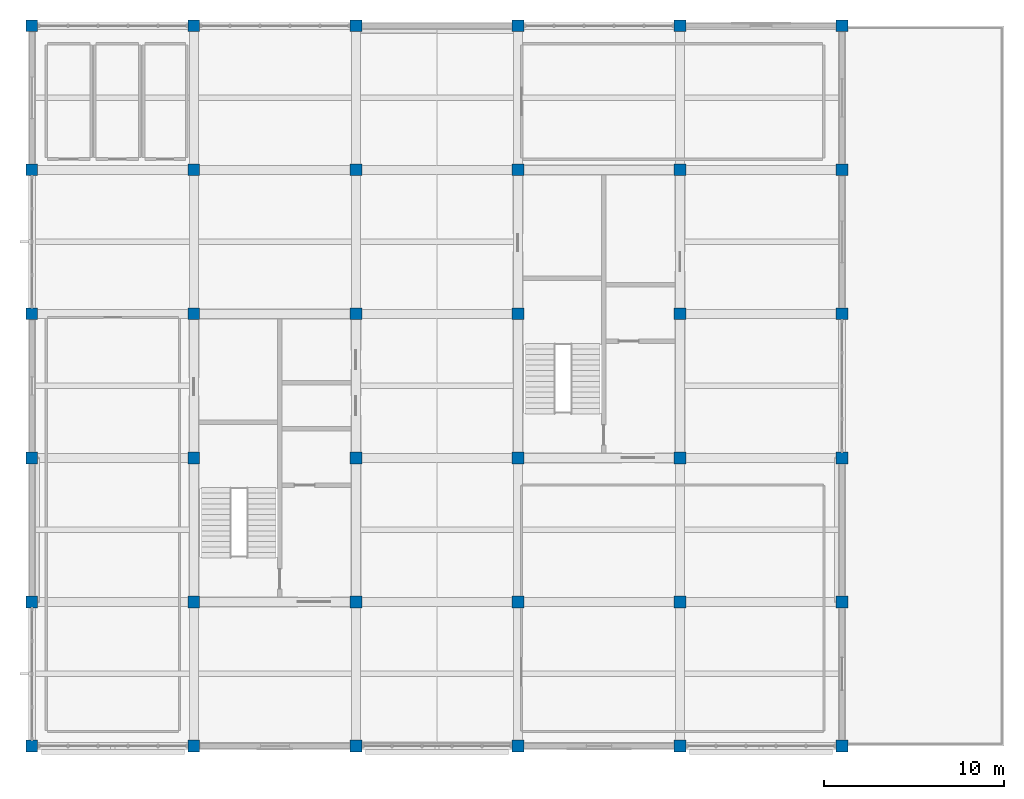
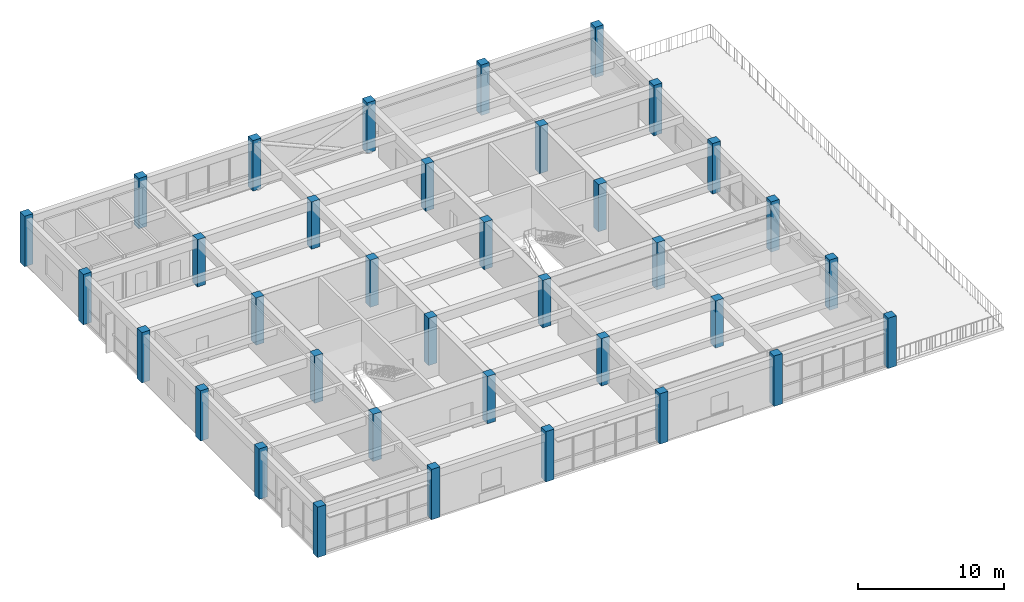
# One storey, part 1 of 12: 36 columns.
"""IFC4 building model written with IfcOpenShell, lengths in metres."""

import ifcopenshell
import ifcopenshell.guid

model = None  # the IFC model being written
_history = None  # IfcOwnerHistory: only IFC2X3 demands one
_inside = {}  # id of a spatial element -> (the spatial element, [elements in it])
_under = {}  # id of a project, library or spatial element -> (it, [spatial elements below it])
_declared = {}  # id of a project -> (the project, [libraries it declares])
_typed = {}  # id of a type object -> (the type object, [elements of that type])
_made_of = {}  # id of a material, layer set ... -> (it, [elements and type objects made of it])


def new_model(schema):
    """Start an empty IFC model of exactly this schema.

    Asked for "IFC4X3", IfcOpenShell would pick the latest addendum, in which some entities
    have other attributes; the version numbers below select the first issue.
    IFC2X3 requires an IfcOwnerHistory on every rooted entity: one is made here for all.
    """
    global model, _history
    if schema == "IFC4X3":
        model = ifcopenshell.file(schema_version=(4, 3, 0, 0))
    else:
        model = ifcopenshell.file(schema=schema)
    _inside.clear()
    _under.clear()
    _declared.clear()
    _typed.clear()
    _made_of.clear()
    _history = None
    if model.schema == "IFC2X3":
        org = make("IfcOrganization", Name="unknown")
        user = make(
            "IfcPersonAndOrganization",
            ThePerson=make("IfcPerson", FamilyName="unknown"),
            TheOrganization=org,
        )
        app = make(
            "IfcApplication",
            ApplicationDeveloper=org,
            Version="unknown",
            ApplicationFullName="unknown",
            ApplicationIdentifier="unknown",
        )
        _history = make(
            "IfcOwnerHistory",
            OwningUser=user,
            OwningApplication=app,
            ChangeAction="ADDED",
            CreationDate=0,
        )
    return model


def make(cls, **values):
    """One entity of the class cls with the attributes given. An attribute that is None is left unset."""
    return model.create_entity(
        cls, **{name: value for name, value in values.items() if value is not None}
    )


def rooted(cls, **values):
    """An entity with a GlobalId (a new one), such as an element, a storey or a relation."""
    return make(cls, GlobalId=ifcopenshell.guid.new(), OwnerHistory=_history, **values)


def si_unit(unit_type, name, prefix=None):
    """IfcSIUnit, for example si_unit("LENGTHUNIT", "METRE", prefix="MILLI")."""
    return make("IfcSIUnit", UnitType=unit_type, Prefix=prefix, Name=name)


def assignment(units):
    """IfcUnitAssignment: the units of a project."""
    return None if units is None else make("IfcUnitAssignment", Units=units)


def point(xyz):
    """IfcCartesianPoint."""
    return None if xyz is None else make("IfcCartesianPoint", Coordinates=xyz)


def direction(xyz):
    """IfcDirection."""
    return None if xyz is None else make("IfcDirection", DirectionRatios=xyz)


def frame(location, z_axis=None, x_axis=None):
    """IfcAxis2Placement3D, a coordinate frame: its origin and axes. An axis left out is left unset."""
    return make(
        "IfcAxis2Placement3D",
        Location=point(location),
        Axis=direction(z_axis),
        RefDirection=direction(x_axis),
    )


def frame_2d(location, x_axis=None):
    """IfcAxis2Placement2D, a coordinate frame in the plane: its origin and x axis."""
    return make(
        "IfcAxis2Placement2D", Location=point(location), RefDirection=direction(x_axis)
    )


def origin():
    """The frame at (0, 0, 0) with its axes left unset."""
    return frame((0.0, 0.0, 0.0))


def origin_2d():
    """The frame at (0, 0) in the plane with its x axis left unset."""
    return frame_2d((0.0, 0.0))


def place(relative_to, where):
    """IfcLocalPlacement: puts the frame where relative to a parent placement (None: the world)."""
    return make(
        "IfcLocalPlacement", PlacementRelTo=relative_to, RelativePlacement=where
    )


def context(
    kind, dimensions, precision=None, world=None, true_north=None, identifier=None
):
    """IfcGeometricRepresentationContext, for example the 3D "Model" context."""
    return make(
        "IfcGeometricRepresentationContext",
        ContextIdentifier=identifier,
        ContextType=kind,
        CoordinateSpaceDimension=dimensions,
        Precision=precision,
        WorldCoordinateSystem=world,
        TrueNorth=true_north,
    )


def subcontext(parent, identifier, kind, view, scale=None):
    """IfcGeometricRepresentationSubContext, for example "Body" below "Model"."""
    return make(
        "IfcGeometricRepresentationSubContext",
        ContextIdentifier=identifier,
        ContextType=kind,
        ParentContext=parent,
        TargetScale=scale,
        TargetView=view,
    )


def project(units=None, contexts=None):
    """IfcProject with its units and contexts."""
    return rooted(
        "IfcProject",
        Name="project",
        RepresentationContexts=contexts,
        UnitsInContext=assignment(units),
    )


def spatial(cls, under=None, at=None, **own):
    """A site, building, storey or space (cls), placed at a placement, below another one or the project."""
    s = rooted(cls, ObjectPlacement=at, **own)
    if under is not None:
        _under.setdefault(under.id(), (under, []))[1].append(s)
    return s


def profile(cls, at=None, kind="AREA", **sizes):
    """A parametric profile (cls). Its sizes go by their IFC names, for example OverallWidth=200.0."""
    return make(cls, ProfileType=kind, Position=at, **sizes)


def rectangle(**sizes):
    """IfcRectangleProfileDef."""
    return profile("IfcRectangleProfileDef", **sizes)


def extrude(swept, where, along, depth):
    """IfcExtrudedAreaSolid: the profile swept, set in the frame where, extruded along a direction by depth."""
    return make(
        "IfcExtrudedAreaSolid",
        SweptArea=swept,
        Position=where,
        ExtrudedDirection=direction(along),
        Depth=depth,
    )


def shape(context_of_items, identifier, shape_type, items):
    """IfcShapeRepresentation: the items that make up one representation, for example the "Body"."""
    return make(
        "IfcShapeRepresentation",
        ContextOfItems=context_of_items,
        RepresentationIdentifier=identifier,
        RepresentationType=shape_type,
        Items=items,
    )


def material(Name=None, Category=None):
    """IfcMaterial."""
    return make("IfcMaterial", Name=Name, Category=Category)


def material_profile(
    of_material, cross_section, Name=None, Category=None, Priority=None
):
    """IfcMaterialProfile: a cross section and its material."""
    return make(
        "IfcMaterialProfile",
        Name=Name,
        Material=of_material,
        Profile=cross_section,
        Priority=Priority,
        Category=Category,
    )


def profile_set(profiles, Name=None, composite=None):
    """IfcMaterialProfileSet."""
    return make(
        "IfcMaterialProfileSet",
        Name=Name,
        MaterialProfiles=profiles,
        CompositeProfile=composite,
    )


def made_of(thing, what):
    """Note that an element or type object is made of a material, layer set ...; save() writes the relation."""
    if what is not None:
        _made_of.setdefault(what.id(), (what, []))[1].append(thing)
    return thing


def type_object(cls, material=None, **own):
    """A type object (cls), such as IfcWallType, which elements share."""
    return made_of(rooted(cls, **own), material)


def element(
    cls,
    number,
    at=None,
    inside=None,
    cuts=None,
    type_object=None,
    material=None,
    context=None,
    identifier="Body",
    shape_type=None,
    held_by="IfcProductDefinitionShape",
    body=None,
    shapes=None,
    **own,
):
    """One element of the class cls, such as IfcWall. Its Tag is "e" and its number.

    at: its placement. inside: the storey or other place that contains it. cuts: it is an
    opening in that element (IfcRelVoidsElement). A single representation is given by context,
    identifier, shape_type and body (its items); several are given by shapes. held_by: the class
    of the entity that holds the representations. save() writes the other relations.
    """
    e = rooted(cls, Tag="e%d" % number, ObjectPlacement=at, **own)
    if body is not None:
        shapes = [shape(context, identifier, shape_type, body)]
    if shapes is not None:
        e.Representation = make(held_by, Representations=shapes)
    if inside is not None:
        _inside.setdefault(inside.id(), (inside, []))[1].append(e)
    if cuts is not None:
        rooted(
            "IfcRelVoidsElement", RelatingBuildingElement=cuts, RelatedOpeningElement=e
        )
    if type_object is not None:
        _typed.setdefault(type_object.id(), (type_object, []))[1].append(e)
    return made_of(e, material)


def aggregate(whole, parts):
    """IfcRelAggregates: a whole, such as a stair, and the parts it consists of."""
    return rooted("IfcRelAggregates", RelatingObject=whole, RelatedObjects=parts)


def save(model, path):
    """Write the relations noted so far, then the file.

    IfcRelAggregates (storeys below a building ...), IfcRelContainedInSpatialStructure (elements
    in a storey), IfcRelDefinesByType, IfcRelAssociatesMaterial and IfcRelDeclares: one each for
    every whole, place, type object, material and project.
    """
    for whole, parts in _under.values():
        aggregate(whole, parts)
    for where, things in _inside.values():
        rooted(
            "IfcRelContainedInSpatialStructure",
            RelatedElements=things,
            RelatingStructure=where,
        )
    for kind, things in _typed.values():
        rooted("IfcRelDefinesByType", RelatedObjects=things, RelatingType=kind)
    for what, things in _made_of.values():
        rooted("IfcRelAssociatesMaterial", RelatedObjects=things, RelatingMaterial=what)
    for by, libraries in _declared.values():
        rooted("IfcRelDeclares", RelatingContext=by, RelatedDefinitions=libraries)
    model.write(path)


model = new_model("IFC4")

# Units and contexts
model_context = context("Model", 3, precision=1e-05, world=origin(), true_north=direction((0.0, 1.0)))
body_context = subcontext(model_context, "Body", "Model", "MODEL_VIEW")
ifc_project = project(units=[si_unit("LENGTHUNIT", "METRE"), si_unit("AREAUNIT", "SQUARE_METRE"), si_unit("VOLUMEUNIT", "CUBIC_METRE"), si_unit("PLANEANGLEUNIT", "RADIAN"), si_unit("MASSUNIT", "GRAM", prefix="KILO")], contexts=[model_context])

# Site, building, storey
site_placement = place(None, origin())
site = spatial("IfcSite", under=ifc_project, at=site_placement, CompositionType="ELEMENT")
building_placement = place(site_placement, origin())
building = spatial("IfcBuilding", under=site, at=building_placement, Name="Zaverband Oceanarium and Marine Research Institute", CompositionType="ELEMENT")
storey_placement = place(building_placement, frame((0.0, 0.0, 68.699951171875)))
storey = spatial("IfcBuildingStorey", under=building, at=storey_placement, Name="L17", CompositionType="ELEMENT", Elevation=68.699951171875)

# Columns
ifc_material = material(Name="Concrete C50/60", Category="concrete")
ifc_material_profile = material_profile(ifc_material, rectangle(XDim=0.64990234375, YDim=0.64990234375, at=origin_2d()), Name="RC650x650")
ifc_profile_set = profile_set([ifc_material_profile], Name="Concrete C50/60")
column_type = type_object("IfcColumnType", Name="COL-C650", PredefinedType="COLUMN", material=ifc_profile_set)
for number, where, z_axis, x_axis, name in (
    (1, (9.0, 72.0, 0.0), (0.0, 0.0, 1.0), (1.0, 0.0, 0.0), "Reinforced concrete column RC650x650 COL-C650"),
    (2, (9.0, 80.0, 0.0), (0.0, 0.0, 1.0), (1.0, 0.0, 0.0), "Reinforced concrete column RC650x650 COL-C650"),
    (3, (9.0, 88.0, 0.0), (0.0, 0.0, 1.0), (1.0, 0.0, 0.0), "Reinforced concrete column RC650x650 COL-C650"),
    (4, (9.0, 96.0, 0.0), (0.0, 0.0, 1.0), (1.0, 0.0, 0.0), "Reinforced concrete column RC650x650 COL-C650"),
    (5, (9.0, 104.0, 0.0), (0.0, 0.0, 1.0), (1.0, 0.0, 0.0), "Reinforced concrete column RC650x650 COL-C650"),
    (6, (9.0, 112.0, 0.0), (0.0, 0.0, 1.0), (1.0, 0.0, 0.0), "Reinforced concrete column RC650x650 COL-C650"),
    (7, (18.0, 72.0, 0.0), (0.0, 0.0, 1.0), (1.0, 0.0, 0.0), "Reinforced concrete column RC650x650 COL-C650"),
):
    element("IfcColumn", number, at=place(storey_placement, frame(where, z_axis=z_axis, x_axis=x_axis)), inside=storey, type_object=column_type, Name=name, PredefinedType="COLUMN", context=body_context, shape_type="SweptSolid", body=[
        extrude(rectangle(XDim=0.64990234375, YDim=0.64990234375, at=origin_2d()), origin(), (0.0, 0.0, 1.0), 4.199951171875),
    ])
for number, where, z_axis, x_axis, name in (
    (8, (18.0, 80.0, 0.0), (0.0, 0.0, 1.0), (1.0, 0.0, 0.0), "Reinforced concrete column RC650x650 COL-C650"),
    (9, (18.0, 88.0, 0.0), (0.0, 0.0, 1.0), (1.0, 0.0, 0.0), "Reinforced concrete column RC650x650 COL-C650"),
    (10, (18.0, 96.0, 0.0), (0.0, 0.0, 1.0), (1.0, 0.0, 0.0), "Reinforced concrete column RC650x650 COL-C650"),
    (11, (18.0, 104.0, 0.0), (0.0, 0.0, 1.0), (1.0, 0.0, 0.0), "Reinforced concrete column RC650x650 COL-C650"),
):
    element("IfcColumn", number, at=place(storey_placement, frame(where, z_axis=z_axis, x_axis=x_axis)), inside=storey, type_object=column_type, Name=name, PredefinedType="COLUMN", context=body_context, shape_type="SweptSolid", body=[
        extrude(rectangle(XDim=0.64990234375, YDim=0.64990234375, at=origin_2d()), origin(), (0.0, 0.0, 1.0), 3.93994140625),
    ])
for number, where, z_axis, x_axis, name in (
    (12, (18.0, 112.0, 0.0), (0.0, 0.0, 1.0), (1.0, 0.0, 0.0), "Reinforced concrete column RC650x650 COL-C650"),
    (13, (27.0, 72.0, 0.0), (0.0, 0.0, 1.0), (1.0, 0.0, 0.0), "Reinforced concrete column RC650x650 COL-C650"),
):
    element("IfcColumn", number, at=place(storey_placement, frame(where, z_axis=z_axis, x_axis=x_axis)), inside=storey, type_object=column_type, Name=name, PredefinedType="COLUMN", context=body_context, shape_type="SweptSolid", body=[
        extrude(rectangle(XDim=0.64990234375, YDim=0.64990234375, at=origin_2d()), origin(), (0.0, 0.0, 1.0), 4.199951171875),
    ])
for number, where, z_axis, x_axis, name in (
    (14, (27.0, 80.0, 0.0), (0.0, 0.0, 1.0), (1.0, 0.0, 0.0), "Reinforced concrete column RC650x650 COL-C650"),
    (15, (27.0, 88.0, 0.0), (0.0, 0.0, 1.0), (1.0, 0.0, 0.0), "Reinforced concrete column RC650x650 COL-C650"),
    (16, (27.0, 96.0, 0.0), (0.0, 0.0, 1.0), (1.0, 0.0, 0.0), "Reinforced concrete column RC650x650 COL-C650"),
    (17, (27.0, 104.0, 0.0), (0.0, 0.0, 1.0), (1.0, 0.0, 0.0), "Reinforced concrete column RC650x650 COL-C650"),
):
    element("IfcColumn", number, at=place(storey_placement, frame(where, z_axis=z_axis, x_axis=x_axis)), inside=storey, type_object=column_type, Name=name, PredefinedType="COLUMN", context=body_context, shape_type="SweptSolid", body=[
        extrude(rectangle(XDim=0.64990234375, YDim=0.64990234375, at=origin_2d()), origin(), (0.0, 0.0, 1.0), 3.93994140625),
    ])
for number, where, z_axis, x_axis, name in (
    (18, (27.0, 112.0, 0.0), (0.0, 0.0, 1.0), (1.0, 0.0, 0.0), "Reinforced concrete column RC650x650 COL-C650"),
    (19, (36.0, 72.0, 0.0), (0.0, 0.0, 1.0), (1.0, 0.0, 0.0), "Reinforced concrete column RC650x650 COL-C650"),
):
    element("IfcColumn", number, at=place(storey_placement, frame(where, z_axis=z_axis, x_axis=x_axis)), inside=storey, type_object=column_type, Name=name, PredefinedType="COLUMN", context=body_context, shape_type="SweptSolid", body=[
        extrude(rectangle(XDim=0.64990234375, YDim=0.64990234375, at=origin_2d()), origin(), (0.0, 0.0, 1.0), 4.199951171875),
    ])
for number, where, z_axis, x_axis, name in (
    (20, (36.0, 80.0, 0.0), (0.0, 0.0, 1.0), (1.0, 0.0, 0.0), "Reinforced concrete column RC650x650 COL-C650"),
    (21, (36.0, 88.0, 0.0), (0.0, 0.0, 1.0), (1.0, 0.0, 0.0), "Reinforced concrete column RC650x650 COL-C650"),
    (22, (36.0, 96.0, 0.0), (0.0, 0.0, 1.0), (1.0, 0.0, 0.0), "Reinforced concrete column RC650x650 COL-C650"),
    (23, (36.0, 104.0, 0.0), (0.0, 0.0, 1.0), (1.0, 0.0, 0.0), "Reinforced concrete column RC650x650 COL-C650"),
):
    element("IfcColumn", number, at=place(storey_placement, frame(where, z_axis=z_axis, x_axis=x_axis)), inside=storey, type_object=column_type, Name=name, PredefinedType="COLUMN", context=body_context, shape_type="SweptSolid", body=[
        extrude(rectangle(XDim=0.64990234375, YDim=0.64990234375, at=origin_2d()), origin(), (0.0, 0.0, 1.0), 3.93994140625),
    ])
for number, where, z_axis, x_axis, name in (
    (24, (36.0, 112.0, 0.0), (0.0, 0.0, 1.0), (1.0, 0.0, 0.0), "Reinforced concrete column RC650x650 COL-C650"),
    (25, (45.0, 72.0, 0.0), (0.0, 0.0, 1.0), (1.0, 0.0, 0.0), "Reinforced concrete column RC650x650 COL-C650"),
):
    element("IfcColumn", number, at=place(storey_placement, frame(where, z_axis=z_axis, x_axis=x_axis)), inside=storey, type_object=column_type, Name=name, PredefinedType="COLUMN", context=body_context, shape_type="SweptSolid", body=[
        extrude(rectangle(XDim=0.64990234375, YDim=0.64990234375, at=origin_2d()), origin(), (0.0, 0.0, 1.0), 4.199951171875),
    ])
for number, where, z_axis, x_axis, name in (
    (26, (45.0, 80.0, 0.0), (0.0, 0.0, 1.0), (1.0, 0.0, 0.0), "Reinforced concrete column RC650x650 COL-C650"),
    (27, (45.0, 88.0, 0.0), (0.0, 0.0, 1.0), (1.0, 0.0, 0.0), "Reinforced concrete column RC650x650 COL-C650"),
    (28, (45.0, 96.0, 0.0), (0.0, 0.0, 1.0), (1.0, 0.0, 0.0), "Reinforced concrete column RC650x650 COL-C650"),
    (29, (45.0, 104.0, 0.0), (0.0, 0.0, 1.0), (1.0, 0.0, 0.0), "Reinforced concrete column RC650x650 COL-C650"),
):
    element("IfcColumn", number, at=place(storey_placement, frame(where, z_axis=z_axis, x_axis=x_axis)), inside=storey, type_object=column_type, Name=name, PredefinedType="COLUMN", context=body_context, shape_type="SweptSolid", body=[
        extrude(rectangle(XDim=0.64990234375, YDim=0.64990234375, at=origin_2d()), origin(), (0.0, 0.0, 1.0), 3.93994140625),
    ])
for number, where, z_axis, x_axis, name in (
    (30, (45.0, 112.0, 0.0), (0.0, 0.0, 1.0), (1.0, 0.0, 0.0), "Reinforced concrete column RC650x650 COL-C650"),
    (31, (54.0, 72.0, 0.0), (0.0, 0.0, 1.0), (1.0, 0.0, 0.0), "Reinforced concrete column RC650x650 COL-C650"),
    (32, (54.0, 80.0, 0.0), (0.0, 0.0, 1.0), (1.0, 0.0, 0.0), "Reinforced concrete column RC650x650 COL-C650"),
    (33, (54.0, 88.0, 0.0), (0.0, 0.0, 1.0), (1.0, 0.0, 0.0), "Reinforced concrete column RC650x650 COL-C650"),
    (34, (54.0, 96.0, 0.0), (0.0, 0.0, 1.0), (1.0, 0.0, 0.0), "Reinforced concrete column RC650x650 COL-C650"),
    (35, (54.0, 104.0, 0.0), (0.0, 0.0, 1.0), (1.0, 0.0, 0.0), "Reinforced concrete column RC650x650 COL-C650"),
    (36, (54.0, 112.0, 0.0), (0.0, 0.0, 1.0), (1.0, 0.0, 0.0), "Reinforced concrete column RC650x650 COL-C650"),
):
    element("IfcColumn", number, at=place(storey_placement, frame(where, z_axis=z_axis, x_axis=x_axis)), inside=storey, type_object=column_type, Name=name, PredefinedType="COLUMN", context=body_context, shape_type="SweptSolid", body=[
        extrude(rectangle(XDim=0.64990234375, YDim=0.64990234375, at=origin_2d()), origin(), (0.0, 0.0, 1.0), 4.199951171875),
    ])

save(model, "model.ifc")
